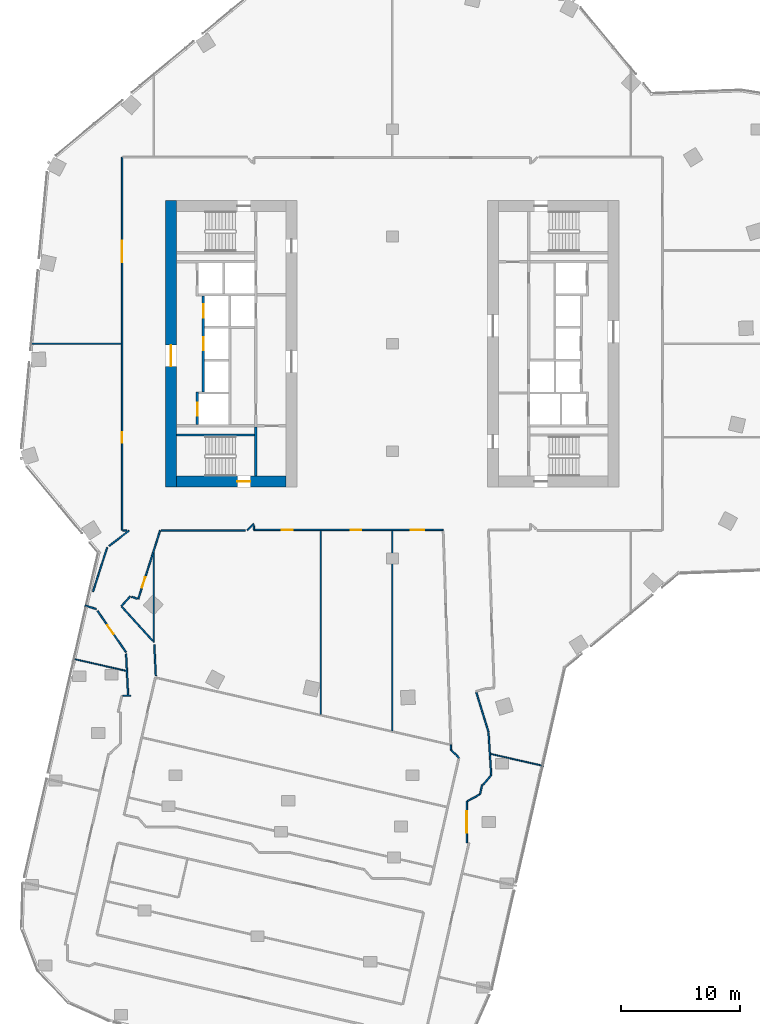
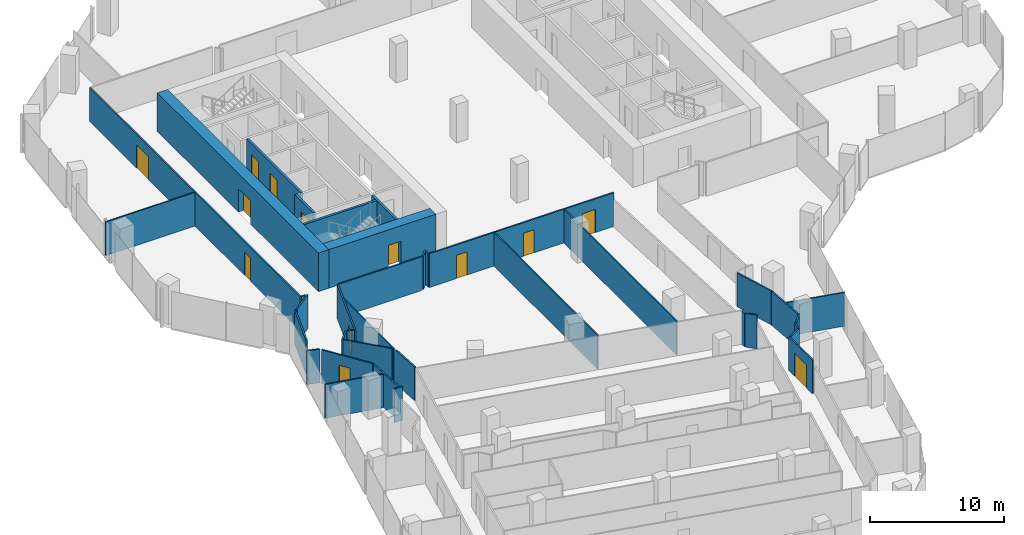
# One storey, part 19 of 23: 37 walls, 13 doors, 13 openings.
"""IFC4 building model written with IfcOpenShell, lengths in metres."""

from ifc_helpers import new_model, si_unit, direction, frame, frame_2d, origin, place, context, subcontext, project, spatial, rectangle, extrude, material, layer, layer_set, type_object, element, fill, save


model = new_model("IFC4")

# Units and contexts
model_context = context("Model", 3, precision=1e-05, world=origin(), true_north=direction((0.0, 1.0)))
body_context = subcontext(model_context, "Body", "Model", "MODEL_VIEW")
ifc_project = project(units=[si_unit("LENGTHUNIT", "METRE"), si_unit("AREAUNIT", "SQUARE_METRE"), si_unit("VOLUMEUNIT", "CUBIC_METRE"), si_unit("PLANEANGLEUNIT", "RADIAN"), si_unit("MASSUNIT", "GRAM", prefix="KILO")], contexts=[model_context])

# Site, building, storey
site_placement = place(None, origin())
site = spatial("IfcSite", under=ifc_project, at=site_placement, CompositionType="ELEMENT")
building_placement = place(site_placement, origin())
building = spatial("IfcBuilding", under=site, at=building_placement, Name="Orlundy Tower", CompositionType="ELEMENT")
storey_placement = place(building_placement, frame((0.0, 0.0, 181.10009765625)))
storey = spatial("IfcBuildingStorey", under=building, at=storey_placement, Name="L47", CompositionType="ELEMENT", Elevation=181.10009765625)

# Wall, opening, door
ifc_material_1 = material(Name="Concrete C70/85", Category="concrete")
ifc_layer_1 = layer(ifc_material_1, 0.89990234375)
ifc_layer_set_1 = layer_set([ifc_layer_1], Name="CORE WALL 900 C70/85")
wall_type_1 = type_object("IfcWallType", Name="CORE WALL 900 C70/85", PredefinedType="SHEAR", material=ifc_layer_set_1)
wall_1_placement = place(storey_placement, frame((-18.10009765625, -11.550048828125, 0.0), z_axis=(0.0, 0.0, 1.0), x_axis=(1.0, 0.0, 0.0)))
wall_1 = element("IfcWall", 1, at=wall_1_placement, inside=storey, type_object=wall_type_1, Name="Core wall W-S L47", PredefinedType="SHEAR", context=body_context, shape_type="SweptSolid", body=[
    extrude(rectangle(XDim=9.2001953125, YDim=0.89990234375, at=frame_2d((4.60009765625, 0.0))), origin(), (0.0, 0.0, 1.0), 3.5),
])
opening_1_placement = place(wall_1_placement, frame((5.10009765625, 0.0, 0.0)))
opening_1 = element("IfcOpeningElement", 2, at=opening_1_placement, cuts=wall_1, Name="Opening 36012", PredefinedType="OPENING", context=body_context, shape_type="SweptSolid", body=[
    extrude(rectangle(XDim=1.10009765625, YDim=2.10009765625, at=frame_2d((0.550048828125, 1.050048828125))), frame((0.0, 0.4599609375, 0.0), z_axis=(0.0, -1.0, 0.0), x_axis=(1.0, 0.0, 0.0)), (0.0, 0.0, 1.0), 0.919921875),
])
ifc_material_2 = material(Name="Steel door set", Category="steel")
door_type_1 = type_object("IfcDoorType", Name="Stair Door 1100x2100", OperationType="SINGLE_SWING_LEFT", PredefinedType="DOOR", material=ifc_material_2)
door_1_placement = place(opening_1_placement, origin())
door_1 = element("IfcDoor", 3, at=door_1_placement, inside=storey, type_object=door_type_1, Name="Stair door 36012", OperationType="SINGLE_SWING_RIGHT", OverallHeight=2.10009765625, OverallWidth=1.10009765625, PredefinedType="DOOR", context=body_context, shape_type="SweptSolid", body=[
    extrude(rectangle(XDim=1.10009765625, YDim=2.10009765625, at=frame_2d((0.550048828125, 1.050048828125))), frame((0.0, 0.02490234375, 0.0), z_axis=(0.0, -1.0, 0.0), x_axis=(1.0, 0.0, 0.0)), (0.0, 0.0, 1.0), 0.050048828125),
])
fill(opening_1, door_1)

wall_2_placement = place(storey_placement, frame((-18.550048828125, -12.0, 0.0), z_axis=(0.0, 0.0, 1.0), x_axis=(0.0, 1.0, 0.0)))
wall_2 = element("IfcWall", 4, at=wall_2_placement, inside=storey, type_object=wall_type_1, Name="Core wall W-W L47", PredefinedType="SHEAR", context=body_context, shape_type="SweptSolid", body=[
    extrude(rectangle(XDim=24.0, YDim=0.89990234375, at=frame_2d((12.0, 0.0))), origin(), (0.0, 0.0, 1.0), 3.5),
])
opening_2_placement = place(wall_2_placement, frame((10.10009765625, 0.0, 0.0)))
opening_2 = element("IfcOpeningElement", 5, at=opening_2_placement, cuts=wall_2, Name="Opening 36009", PredefinedType="OPENING", context=body_context, shape_type="SweptSolid", body=[
    extrude(rectangle(XDim=1.800048828125, YDim=2.10009765625, at=frame_2d((0.89990234375, 1.050048828125))), frame((0.0, 0.4599609375, 0.0), z_axis=(0.0, -1.0, 0.0), x_axis=(1.0, 0.0, 0.0)), (0.0, 0.0, 1.0), 0.919921875),
])
ifc_material_3 = material(Name="Timber door set", Category="wood")
door_type_2 = type_object("IfcDoorType", Name="Lobby Door 1800x2100", OperationType="DOUBLE_DOOR_DOUBLE_SWING", PredefinedType="DOOR", material=ifc_material_3)
door_2_placement = place(opening_2_placement, origin())
door_2 = element("IfcDoor", 6, at=door_2_placement, inside=storey, type_object=door_type_2, Name="Lift lobby door 36009", OperationType="SINGLE_SWING_LEFT", OverallHeight=2.10009765625, OverallWidth=1.800048828125, PredefinedType="DOOR", context=body_context, shape_type="SweptSolid", body=[
    extrude(rectangle(XDim=1.800048828125, YDim=2.10009765625, at=frame_2d((0.89990234375, 1.050048828125))), frame((0.0, 0.02490234375, 0.0), z_axis=(0.0, -1.0, 0.0), x_axis=(1.0, 0.0, 0.0)), (0.0, 0.0, 1.0), 0.050048828125),
])
fill(opening_2, door_2)

# Walls
ifc_material_4 = material(Name="Gypsum board partition")
ifc_layer_2 = layer(ifc_material_4, 0.10009765625)
ifc_layer_set_2 = layer_set([ifc_layer_2], Name="Floor partition 100")
wall_type_2 = type_object("IfcWallType", Name="Floor partition 100", PredefinedType="PARTITIONING", material=ifc_layer_set_2)
wall_3_placement = place(storey_placement, frame((-26.783935546875, -26.404052734375, 0.0), z_axis=(0.0, 0.0, 1.0), x_axis=(0.975064044209, -0.221923657346, 0.0)))
element("IfcWall", 7, at=wall_3_placement, inside=storey, type_object=wall_type_2, Name="wall-int-L47-032", PredefinedType="PARTITIONING", context=body_context, shape_type="SweptSolid", body=[
    extrude(rectangle(XDim=4.56884765625, YDim=0.10009765625, at=frame_2d((2.284423828125, 0.0))), origin(), (0.0, 0.0, 1.0), 3.059814453125),
])
wall_4_placement = place(storey_placement, frame((8.256103515625, -34.386962890625, 0.0), z_axis=(0.0, 0.0, 1.0), x_axis=(0.975047109618, -0.221998049597, 0.0)))
element("IfcWall", 8, at=wall_4_placement, inside=storey, type_object=wall_type_2, Name="wall-int-L47-034", PredefinedType="PARTITIONING", context=body_context, shape_type="SweptSolid", body=[
    extrude(rectangle(XDim=4.562744140625, YDim=0.10009765625, at=frame_2d((2.28125, 0.0))), origin(), (0.0, 0.0, 1.0), 3.059814453125),
])
wall_5_placement = place(storey_placement, frame((-30.382080078125, 0.0, 0.0), z_axis=(0.0, 0.0, 1.0), x_axis=(1.0, 0.0, 0.0)))
element("IfcWall", 9, at=wall_5_placement, inside=storey, type_object=wall_type_2, Name="wall-int-L47-048", PredefinedType="PARTITIONING", context=body_context, shape_type="SweptSolid", body=[
    extrude(rectangle(XDim=7.670166015625, YDim=0.10009765625, at=frame_2d((3.8349609375, 0.0))), origin(), (0.0, 0.0, 1.0), 3.059814453125),
])
wall_6_placement = place(storey_placement, frame((0.0, -32.44189453125, 0.0), z_axis=(0.0, 0.0, 1.0), x_axis=(0.0, 1.0, 0.0)))
element("IfcWall", 10, at=wall_6_placement, inside=storey, type_object=wall_type_2, Name="wall-int-L47-088", PredefinedType="PARTITIONING", context=body_context, shape_type="SweptSolid", body=[
    extrude(rectangle(XDim=16.77978515625, YDim=0.10009765625, at=frame_2d((8.389892578125, 0.0))), origin(), (0.0, 0.0, 1.0), 3.059814453125),
])
wall_7_placement = place(storey_placement, frame((-6.0, -31.075927734375, 0.0), z_axis=(0.0, 0.0, 1.0), x_axis=(0.0, 1.0, 0.0)))
element("IfcWall", 11, at=wall_7_placement, inside=storey, type_object=wall_type_2, Name="wall-int-L47-091", PredefinedType="PARTITIONING", context=body_context, shape_type="SweptSolid", body=[
    extrude(rectangle(XDim=15.413818359375, YDim=0.10009765625, at=frame_2d((7.70703125, 0.0))), origin(), (0.0, 0.0, 1.0), 3.059814453125),
])
wall_8_placement = place(storey_placement, frame((-20.0, -25.006103515625, 0.0), z_axis=(0.0, 0.0, 1.0), x_axis=(0.0, 1.0, 0.0)))
element("IfcWall", 12, at=wall_8_placement, inside=storey, type_object=wall_type_2, Name="wall-int-L47-093", PredefinedType="PARTITIONING", context=body_context, shape_type="SweptSolid", body=[
    extrude(rectangle(XDim=7.6162109375, YDim=0.10009765625, at=frame_2d((3.80810546875, 0.0))), origin(), (0.0, 0.0, 1.0), 3.059814453125),
])
ifc_material_5 = material(Name="Gypsum board partition, double layer")
ifc_layer_3 = layer(ifc_material_5, 0.125)
ifc_layer_set_3 = layer_set([ifc_layer_3], Name="Floor partition 125")
wall_type_3 = type_object("IfcWallType", Name="Floor partition 125", PredefinedType="PARTITIONING", material=ifc_layer_set_3)
wall_9_placement = place(storey_placement, frame((-11.60107421875, -15.241943359375, 0.0), z_axis=(0.0, 0.0, 1.0), x_axis=(0.002726642898, -0.999996282702, 0.0)))
element("IfcWall", 13, at=wall_9_placement, inside=storey, type_object=wall_type_3, Name="wall-int-L47-001", PredefinedType="PARTITIONING", context=body_context, shape_type="SweptSolid", body=[
    extrude(rectangle(XDim=0.358154296875, YDim=0.125, at=frame_2d((0.17919921875, 0.0))), origin(), (0.0, 0.0, 1.0), 3.059814453125),
])
wall_10_placement = place(storey_placement, frame((4.906982421875, -33.623046875, 0.0), z_axis=(0.0, 0.0, 1.0), x_axis=(0.034692866757, -0.999398021309, 0.0)))
element("IfcWall", 14, at=wall_10_placement, inside=storey, type_object=wall_type_3, Name="wall-int-L47-002", PredefinedType="PARTITIONING", context=body_context, shape_type="SweptSolid", body=[
    extrude(rectangle(XDim=0.401123046875, YDim=0.125, at=frame_2d((0.20068359375, 0.0))), origin(), (0.0, 0.0, 1.0), 3.059814453125),
])
wall_11_placement = place(storey_placement, frame((-22.322021484375, -26.007080078125, 0.0), z_axis=(0.0, 0.0, 1.0), x_axis=(0.048573949442, -0.998819589033, 0.0)))
element("IfcWall", 15, at=wall_11_placement, inside=storey, type_object=wall_type_3, Name="wall-int-L47-005", PredefinedType="PARTITIONING", context=body_context, shape_type="SweptSolid", body=[
    extrude(rectangle(XDim=3.43798828125, YDim=0.125, at=frame_2d((1.718994140625, 0.0))), origin(), (0.0, 0.0, 1.0), 3.059814453125),
])
wall_12_placement = place(storey_placement, frame((-19.9560546875, -25.23095703125, 0.0), z_axis=(0.0, 0.0, 1.0), x_axis=(0.048617095064, -0.998817489869, 0.0)))
element("IfcWall", 16, at=wall_12_placement, inside=storey, type_object=wall_type_3, Name="wall-int-L47-006", PredefinedType="PARTITIONING", context=body_context, shape_type="SweptSolid", body=[
    extrude(rectangle(XDim=2.59130859375, YDim=0.125, at=frame_2d((1.295654296875, 0.0))), origin(), (0.0, 0.0, 1.0), 3.059814453125),
])
wall_13_placement = place(storey_placement, frame((8.069091796875, -32.60888671875, 0.0), z_axis=(0.0, 0.0, 1.0), x_axis=(0.061565744527, -0.998103030303, 0.0)))
element("IfcWall", 17, at=wall_13_placement, inside=storey, type_object=wall_type_3, Name="wall-int-L47-007", PredefinedType="PARTITIONING", context=body_context, shape_type="SweptSolid", body=[
    extrude(rectangle(XDim=3.572998046875, YDim=0.125, at=frame_2d((1.78662109375, 0.0))), origin(), (0.0, 0.0, 1.0), 3.059814453125),
])
wall_14_placement = place(storey_placement, frame((7.033935546875, -29.2109375, 0.0), z_axis=(0.0, 0.0, 1.0), x_axis=(0.295358504145, -0.955386494582, 0.0)))
element("IfcWall", 18, at=wall_14_placement, inside=storey, type_object=wall_type_3, Name="wall-int-L47-008", PredefinedType="PARTITIONING", context=body_context, shape_type="SweptSolid", body=[
    extrude(rectangle(XDim=3.49072265625, YDim=0.125, at=frame_2d((1.745361328125, 0.0))), origin(), (0.0, 0.0, 1.0), 3.059814453125),
])

# Wall, opening, door
wall_15_placement = place(storey_placement, frame((-22.3291015625, -25.85693359375, 0.0), z_axis=(0.0, 0.0, 1.0), x_axis=(-0.567945710046, 0.823066018276, 0.0)))
wall_15 = element("IfcWall", 19, at=wall_15_placement, inside=storey, type_object=wall_type_3, Name="wall-int-L47-009", PredefinedType="PARTITIONING", context=body_context, shape_type="SweptSolid", body=[
    extrude(rectangle(XDim=4.209716796875, YDim=0.125, at=frame_2d((2.10498046875, 0.0))), origin(), (0.0, 0.0, 1.0), 3.059814453125),
])
opening_3_placement = place(wall_15_placement, frame((1.85009765625, 0.0, 0.0)))
opening_3 = element("IfcOpeningElement", 20, at=opening_3_placement, cuts=wall_15, Name="Opening 36111", PredefinedType="OPENING", context=body_context, shape_type="SweptSolid", body=[
    extrude(rectangle(XDim=0.89990234375, YDim=2.10009765625, at=frame_2d((0.449951171875, 1.050048828125))), frame((0.0, 0.072509765625, 0.0), z_axis=(0.0, -1.0, 0.0), x_axis=(1.0, 0.0, 0.0)), (0.0, 0.0, 1.0), 0.14501953125),
])
ifc_material_6 = material(Name="Timber door leaf", Category="wood")
door_type_3 = type_object("IfcDoorType", Name="Floor door single 900 FD30S", OperationType="NOTDEFINED", PredefinedType="DOOR", material=ifc_material_6)
door_3_placement = place(opening_3_placement, origin())
door_3 = element("IfcDoor", 21, at=door_3_placement, inside=storey, type_object=door_type_3, Name="Door 36111", OperationType="SINGLE_SWING_RIGHT", OverallHeight=2.10009765625, OverallWidth=0.89990234375, PredefinedType="DOOR", context=body_context, shape_type="SweptSolid", body=[
    extrude(rectangle(XDim=0.89990234375, YDim=2.10009765625, at=frame_2d((0.449951171875, 1.050048828125))), frame((0.0, 0.02490234375, 0.0), z_axis=(0.0, -1.0, 0.0), x_axis=(1.0, 0.0, 0.0)), (0.0, 0.0, 1.0), 0.050048828125),
])
fill(opening_3, door_3)

# Walls
wall_16_placement = place(storey_placement, frame((-20.095947265625, -24.89990234375, 0.0), z_axis=(0.0, 0.0, 1.0), x_axis=(-0.672615898584, 0.739991792503, 0.0)))
element("IfcWall", 22, at=wall_16_placement, inside=storey, type_object=wall_type_3, Name="wall-int-L47-010", PredefinedType="PARTITIONING", context=body_context, shape_type="SweptSolid", body=[
    extrude(rectangle(XDim=3.844482421875, YDim=0.125, at=frame_2d((1.92236328125, 0.0))), origin(), (0.0, 0.0, 1.0), 3.059814453125),
])
wall_17_placement = place(storey_placement, frame((-25.76708984375, -21.93994140625, 0.0), z_axis=(0.0, 0.0, 1.0), x_axis=(0.952650092138, -0.304068745433, 0.0)))
element("IfcWall", 23, at=wall_17_placement, inside=storey, type_object=wall_type_3, Name="wall-int-L47-013", PredefinedType="PARTITIONING", context=body_context, shape_type="SweptSolid", body=[
    extrude(rectangle(XDim=0.989990234375, YDim=0.125, at=frame_2d((0.4951171875, 0.0))), origin(), (0.0, 0.0, 1.0), 3.059814453125),
])
wall_18_placement = place(storey_placement, frame((-21.8720703125, -21.2109375, 0.0), z_axis=(0.0, 0.0, 1.0), x_axis=(0.952508294333, -0.304512642146, 0.0)))
element("IfcWall", 24, at=wall_18_placement, inside=storey, type_object=wall_type_3, Name="wall-int-L47-014", PredefinedType="PARTITIONING", context=body_context, shape_type="SweptSolid", body=[
    extrude(rectangle(XDim=0.538818359375, YDim=0.125, at=frame_2d((0.26953125, 0.0))), origin(), (0.0, 0.0, 1.0), 3.059814453125),
])
wall_19_placement = place(storey_placement, frame((6.302978515625, -38.342041015625, 0.0), z_axis=(0.0, 0.0, 1.0), x_axis=(0.877434318746, 0.479696796202, 0.0)))
element("IfcWall", 25, at=wall_19_placement, inside=storey, type_object=wall_type_3, Name="wall-int-L47-039", PredefinedType="PARTITIONING", context=body_context, shape_type="SweptSolid", body=[
    extrude(rectangle(XDim=1.194580078125, YDim=0.125, at=frame_2d((0.59716796875, 0.0))), origin(), (0.0, 0.0, 1.0), 3.059814453125),
])
wall_20_placement = place(storey_placement, frame((-22.59912109375, -29.507080078125, 0.0), z_axis=(0.0, 0.0, 1.0), x_axis=(1.0, 0.0, 0.0)))
element("IfcWall", 26, at=wall_20_placement, inside=storey, type_object=wall_type_3, Name="wall-int-L47-041", PredefinedType="PARTITIONING", context=body_context, shape_type="SweptSolid", body=[
    extrude(rectangle(XDim=0.676025390625, YDim=0.125, at=frame_2d((0.337890625, 0.0))), origin(), (0.0, 0.0, 1.0), 3.059814453125),
])
wall_21_placement = place(storey_placement, frame((-22.5869140625, -15.65087890625, 0.0), z_axis=(0.0, 0.0, 1.0), x_axis=(1.0, 0.0, 0.0)))
element("IfcWall", 27, at=wall_21_placement, inside=storey, type_object=wall_type_3, Name="wall-int-L47-042", PredefinedType="PARTITIONING", context=body_context, shape_type="SweptSolid", body=[
    extrude(rectangle(XDim=0.333984375, YDim=0.125, at=frame_2d((0.1669921875, 0.0))), origin(), (0.0, 0.0, 1.0), 3.059814453125),
])
wall_22_placement = place(storey_placement, frame((-19.3779296875, -15.65087890625, 0.0), z_axis=(0.0, 0.0, 1.0), x_axis=(1.0, 0.0, 0.0)))
element("IfcWall", 28, at=wall_22_placement, inside=storey, type_object=wall_type_3, Name="wall-int-L47-043", PredefinedType="PARTITIONING", context=body_context, shape_type="SweptSolid", body=[
    extrude(rectangle(XDim=7.06689453125, YDim=0.125, at=frame_2d((3.533447265625, 0.0))), origin(), (0.0, 0.0, 1.0), 3.059814453125),
])

# Wall, openings, doors
wall_23_placement = place(storey_placement, frame((4.259033203125, -15.60009765625, 0.0), z_axis=(0.0, 0.0, 1.0), x_axis=(-1.0, 0.0, 0.0)))
wall_23 = element("IfcWall", 29, at=wall_23_placement, inside=storey, type_object=wall_type_3, Name="wall-int-L47-045", PredefinedType="PARTITIONING", context=body_context, shape_type="SweptSolid", body=[
    extrude(rectangle(XDim=15.859130859375, YDim=0.125, at=frame_2d((7.9296875, 0.0))), origin(), (0.0, 0.0, 1.0), 3.059814453125),
])
opening_4_placement = place(wall_23_placement, frame((12.60888671875, 0.0, 0.0)))
opening_4 = element("IfcOpeningElement", 30, at=opening_4_placement, cuts=wall_23, Name="Opening 36113", PredefinedType="OPENING", context=body_context, shape_type="SweptSolid", body=[
    extrude(rectangle(XDim=0.89990234375, YDim=2.10009765625, at=frame_2d((0.449951171875, 1.050048828125))), frame((0.0, 0.072509765625, 0.0), z_axis=(0.0, -1.0, 0.0), x_axis=(1.0, 0.0, 0.0)), (0.0, 0.0, 1.0), 0.14501953125),
])
opening_5_placement = place(wall_23_placement, frame((6.85888671875, 0.0, 0.0)))
opening_5 = element("IfcOpeningElement", 31, at=opening_5_placement, cuts=wall_23, Name="Opening 36114", PredefinedType="OPENING", context=body_context, shape_type="SweptSolid", body=[
    extrude(rectangle(XDim=0.89990234375, YDim=2.10009765625, at=frame_2d((0.449951171875, 1.050048828125))), frame((0.0, 0.072509765625, 0.0), z_axis=(0.0, -1.0, 0.0), x_axis=(1.0, 0.0, 0.0)), (0.0, 0.0, 1.0), 0.14501953125),
])
opening_6_placement = place(wall_23_placement, frame((1.60009765625, 0.0, 0.0)))
opening_6 = element("IfcOpeningElement", 32, at=opening_6_placement, cuts=wall_23, Name="Opening 36115", PredefinedType="OPENING", context=body_context, shape_type="SweptSolid", body=[
    extrude(rectangle(XDim=1.10009765625, YDim=2.10009765625, at=frame_2d((0.550048828125, 1.050048828125))), frame((0.0, 0.072509765625, 0.0), z_axis=(0.0, -1.0, 0.0), x_axis=(1.0, 0.0, 0.0)), (0.0, 0.0, 1.0), 0.14501953125),
])
door_4_placement = place(opening_4_placement, origin())
door_4 = element("IfcDoor", 33, at=door_4_placement, inside=storey, type_object=door_type_3, Name="Door 36113", OperationType="SINGLE_SWING_RIGHT", OverallHeight=2.10009765625, OverallWidth=0.89990234375, PredefinedType="DOOR", context=body_context, shape_type="SweptSolid", body=[
    extrude(rectangle(XDim=0.89990234375, YDim=2.10009765625, at=frame_2d((0.449951171875, 1.050048828125))), frame((0.0, 0.02490234375, 0.0), z_axis=(0.0, -1.0, 0.0), x_axis=(1.0, 0.0, 0.0)), (0.0, 0.0, 1.0), 0.050048828125),
])
fill(opening_4, door_4)
door_5_placement = place(opening_5_placement, origin())
door_5 = element("IfcDoor", 34, at=door_5_placement, inside=storey, type_object=door_type_3, Name="Door 36114", OperationType="SINGLE_SWING_LEFT", OverallHeight=2.10009765625, OverallWidth=0.89990234375, PredefinedType="DOOR", context=body_context, shape_type="SweptSolid", body=[
    extrude(rectangle(XDim=0.89990234375, YDim=2.10009765625, at=frame_2d((0.449951171875, 1.050048828125))), frame((0.0, 0.02490234375, 0.0), z_axis=(0.0, -1.0, 0.0), x_axis=(1.0, 0.0, 0.0)), (0.0, 0.0, 1.0), 0.050048828125),
])
fill(opening_5, door_5)
ifc_material_7 = material(Name="Timber door leaf", Category="wood")
door_type_4 = type_object("IfcDoorType", Name="Floor door xwide 1100 FD30S", OperationType="NOTDEFINED", PredefinedType="DOOR", material=ifc_material_7)
door_6_placement = place(opening_6_placement, origin())
door_6 = element("IfcDoor", 35, at=door_6_placement, inside=storey, type_object=door_type_4, Name="Door 36115", OperationType="SINGLE_SWING_LEFT", OverallHeight=2.10009765625, OverallWidth=1.10009765625, PredefinedType="DOOR", context=body_context, shape_type="SweptSolid", body=[
    extrude(rectangle(XDim=1.10009765625, YDim=2.10009765625, at=frame_2d((0.550048828125, 1.050048828125))), frame((0.0, 0.02490234375, 0.0), z_axis=(0.0, -1.0, 0.0), x_axis=(1.0, 0.0, 0.0)), (0.0, 0.0, 1.0), 0.050048828125),
])
fill(opening_6, door_6)

# Walls
wall_24_placement = place(storey_placement, frame((7.613037109375, -36.966064453125, 0.0), z_axis=(0.0, 0.0, 1.0), x_axis=(0.649689309886, 0.760199842554, 0.0)))
element("IfcWall", 36, at=wall_24_placement, inside=storey, type_object=wall_type_3, Name="wall-int-L47-054", PredefinedType="PARTITIONING", context=body_context, shape_type="SweptSolid", body=[
    extrude(rectangle(XDim=1.04052734375, YDim=0.125, at=frame_2d((0.520263671875, 0.0))), origin(), (0.0, 0.0, 1.0), 3.059814453125),
])
wall_25_placement = place(storey_placement, frame((4.922119140625, -34.02392578125, 0.0), z_axis=(0.0, 0.0, 1.0), x_axis=(0.689011074604, -0.724750811709, 0.0)))
element("IfcWall", 37, at=wall_25_placement, inside=storey, type_object=wall_type_3, Name="wall-int-L47-056", PredefinedType="PARTITIONING", context=body_context, shape_type="SweptSolid", body=[
    extrude(rectangle(XDim=0.956298828125, YDim=0.125, at=frame_2d((0.47802734375, 0.0))), origin(), (0.0, 0.0, 1.0), 3.059814453125),
])
wall_26_placement = place(storey_placement, frame((-23.74609375, -16.93994140625, 0.0), z_axis=(0.0, 0.0, 1.0), x_axis=(0.796002971308, 0.605292714039, 0.0)))
element("IfcWall", 38, at=wall_26_placement, inside=storey, type_object=wall_type_3, Name="wall-int-L47-058", PredefinedType="PARTITIONING", context=body_context, shape_type="SweptSolid", body=[
    extrude(rectangle(XDim=2.09814453125, YDim=0.125, at=frame_2d((1.049072265625, 0.0))), origin(), (0.0, 0.0, 1.0), 3.059814453125),
])
wall_27_placement = place(storey_placement, frame((-12.153076171875, -15.631103515625, 0.0), z_axis=(0.0, 0.0, 1.0), x_axis=(0.707106781187, 0.707106781187, 0.0)))
element("IfcWall", 39, at=wall_27_placement, inside=storey, type_object=wall_type_3, Name="wall-int-L47-059", PredefinedType="PARTITIONING", context=body_context, shape_type="SweptSolid", body=[
    extrude(rectangle(XDim=0.7509765625, YDim=0.125, at=frame_2d((0.37548828125, 0.0))), origin(), (0.0, 0.0, 1.0), 3.059814453125),
])
wall_28_placement = place(storey_placement, frame((-22.72412109375, -22.009033203125, 0.0), z_axis=(0.0, 0.0, 1.0), x_axis=(0.675685261753, 0.737190224467, 0.0)))
element("IfcWall", 40, at=wall_28_placement, inside=storey, type_object=wall_type_3, Name="wall-int-L47-061", PredefinedType="PARTITIONING", context=body_context, shape_type="SweptSolid", body=[
    extrude(rectangle(XDim=1.123291015625, YDim=0.125, at=frame_2d((0.5615234375, 0.0))), origin(), (0.0, 0.0, 1.0), 3.059814453125),
])

# Wall, opening, door
wall_29_placement = place(storey_placement, frame((-19.467041015625, -15.656005859375, 0.0), z_axis=(0.0, 0.0, 1.0), x_axis=(-0.304004951976, -0.952670451507, 0.0)))
wall_29 = element("IfcWall", 41, at=wall_29_placement, inside=storey, type_object=wall_type_3, Name="wall-int-L47-062", PredefinedType="PARTITIONING", context=body_context, shape_type="SweptSolid", body=[
    extrude(rectangle(XDim=6.023193359375, YDim=0.125, at=frame_2d((3.01171875, 0.0))), origin(), (0.0, 0.0, 1.0), 3.059814453125),
])
opening_7_placement = place(wall_29_placement, frame((4.113037109375, 0.0, 0.0)))
opening_7 = element("IfcOpeningElement", 42, at=opening_7_placement, cuts=wall_29, Name="Opening 36112", PredefinedType="OPENING", context=body_context, shape_type="SweptSolid", body=[
    extrude(rectangle(XDim=0.89990234375, YDim=2.10009765625, at=frame_2d((0.449951171875, 1.050048828125))), frame((0.0, 0.072509765625, 0.0), z_axis=(0.0, -1.0, 0.0), x_axis=(1.0, 0.0, 0.0)), (0.0, 0.0, 1.0), 0.14501953125),
])
door_7_placement = place(opening_7_placement, origin())
door_7 = element("IfcDoor", 43, at=door_7_placement, inside=storey, type_object=door_type_3, Name="Door 36112", OperationType="SINGLE_SWING_RIGHT", OverallHeight=2.10009765625, OverallWidth=0.89990234375, PredefinedType="DOOR", context=body_context, shape_type="SweptSolid", body=[
    extrude(rectangle(XDim=0.89990234375, YDim=2.10009765625, at=frame_2d((0.449951171875, 1.050048828125))), frame((0.0, 0.02490234375, 0.0), z_axis=(0.0, -1.0, 0.0), x_axis=(1.0, 0.0, 0.0)), (0.0, 0.0, 1.0), 0.050048828125),
])
fill(opening_7, door_7)

# Walls
wall_30_placement = place(storey_placement, frame((-23.904052734375, -17.06005859375, 0.0), z_axis=(0.0, 0.0, 1.0), x_axis=(-0.304208106658, -0.952605599314, 0.0)))
element("IfcWall", 44, at=wall_30_placement, inside=storey, type_object=wall_type_3, Name="wall-int-L47-063", PredefinedType="PARTITIONING", context=body_context, shape_type="SweptSolid", body=[
    extrude(rectangle(XDim=3.90185546875, YDim=0.125, at=frame_2d((1.950927734375, 0.0))), origin(), (0.0, 0.0, 1.0), 3.059814453125),
])
wall_31_placement = place(storey_placement, frame((7.35107421875, -37.76904296875, 0.0), z_axis=(0.0, 0.0, 1.0), x_axis=(0.222043922605, 0.975036664149, 0.0)))
element("IfcWall", 45, at=wall_31_placement, inside=storey, type_object=wall_type_3, Name="wall-int-L47-069", PredefinedType="PARTITIONING", context=body_context, shape_type="SweptSolid", body=[
    extrude(rectangle(XDim=0.823486328125, YDim=0.125, at=frame_2d((0.41162109375, 0.0))), origin(), (0.0, 0.0, 1.0), 3.059814453125),
])

# Wall, opening, door
wall_32_placement = place(storey_placement, frame((6.240966796875, -38.342041015625, 0.0), z_axis=(0.0, 0.0, 1.0), x_axis=(0.0, -1.0, 0.0)))
wall_32 = element("IfcWall", 46, at=wall_32_placement, inside=storey, type_object=wall_type_3, Name="wall-int-L47-086", PredefinedType="PARTITIONING", context=body_context, shape_type="SweptSolid", body=[
    extrude(rectangle(XDim=3.4990234375, YDim=0.125, at=frame_2d((1.74951171875, 0.0))), origin(), (0.0, 0.0, 1.0), 3.059814453125),
])
opening_8_placement = place(wall_32_placement, frame((0.85009765625, 0.0, 0.0)))
opening_8 = element("IfcOpeningElement", 47, at=opening_8_placement, cuts=wall_32, Name="Opening 36100", PredefinedType="OPENING", context=body_context, shape_type="SweptSolid", body=[
    extrude(rectangle(XDim=1.800048828125, YDim=2.10009765625, at=frame_2d((0.89990234375, 1.050048828125))), frame((0.0, 0.072509765625, 0.0), z_axis=(0.0, -1.0, 0.0), x_axis=(1.0, 0.0, 0.0)), (0.0, 0.0, 1.0), 0.14501953125),
])
ifc_material_8 = material(Name="Timber door leaf", Category="wood")
door_type_5 = type_object("IfcDoorType", Name="Floor door double 1800 FD30S", OperationType="NOTDEFINED", PredefinedType="DOOR", material=ifc_material_8)
door_8_placement = place(opening_8_placement, origin())
door_8 = element("IfcDoor", 48, at=door_8_placement, inside=storey, type_object=door_type_5, Name="Door 36100", OperationType="DOUBLE_DOOR_SINGLE_SWING", OverallHeight=2.10009765625, OverallWidth=1.800048828125, PredefinedType="DOOR", context=body_context, shape_type="SweptSolid", body=[
    extrude(rectangle(XDim=1.800048828125, YDim=2.10009765625, at=frame_2d((0.89990234375, 1.050048828125))), frame((0.0, 0.02490234375, 0.0), z_axis=(0.0, -1.0, 0.0), x_axis=(1.0, 0.0, 0.0)), (0.0, 0.0, 1.0), 0.050048828125),
])
fill(opening_8, door_8)

# Wall, openings, doors
wall_33_placement = place(storey_placement, frame((-22.64990234375, -15.65087890625, 0.0), z_axis=(0.0, 0.0, 1.0), x_axis=(0.0, 1.0, 0.0)))
wall_33 = element("IfcWall", 49, at=wall_33_placement, inside=storey, type_object=wall_type_3, Name="wall-int-L47-096", PredefinedType="PARTITIONING", context=body_context, shape_type="SweptSolid", body=[
    extrude(rectangle(XDim=31.3017578125, YDim=0.125, at=frame_2d((15.65087890625, 0.0))), origin(), (0.0, 0.0, 1.0), 3.059814453125),
])
opening_9_placement = place(wall_33_placement, frame((7.35009765625, 0.0, 0.0)))
opening_9 = element("IfcOpeningElement", 50, at=opening_9_placement, cuts=wall_33, Name="Opening 36110", PredefinedType="OPENING", context=body_context, shape_type="SweptSolid", body=[
    extrude(rectangle(XDim=0.89990234375, YDim=2.10009765625, at=frame_2d((0.449951171875, 1.050048828125))), frame((0.0, 0.072509765625, 0.0), z_axis=(0.0, -1.0, 0.0), x_axis=(1.0, 0.0, 0.0)), (0.0, 0.0, 1.0), 0.14501953125),
])
opening_10_placement = place(wall_33_placement, frame((22.5009765625, 0.0, 0.0)))
opening_10 = element("IfcOpeningElement", 51, at=opening_10_placement, cuts=wall_33, Name="Opening 36125", PredefinedType="OPENING", context=body_context, shape_type="SweptSolid", body=[
    extrude(rectangle(XDim=1.800048828125, YDim=2.10009765625, at=frame_2d((0.89990234375, 1.050048828125))), frame((0.0, 0.072509765625, 0.0), z_axis=(0.0, -1.0, 0.0), x_axis=(1.0, 0.0, 0.0)), (0.0, 0.0, 1.0), 0.14501953125),
])
door_9_placement = place(opening_10_placement, origin())
door_9 = element("IfcDoor", 52, at=door_9_placement, inside=storey, type_object=door_type_5, Name="Door 36125", OperationType="DOUBLE_DOOR_SINGLE_SWING", OverallHeight=2.10009765625, OverallWidth=1.800048828125, PredefinedType="DOOR", context=body_context, shape_type="SweptSolid", body=[
    extrude(rectangle(XDim=1.800048828125, YDim=2.10009765625, at=frame_2d((0.89990234375, 1.050048828125))), frame((0.0, 0.02490234375, 0.0), z_axis=(0.0, -1.0, 0.0), x_axis=(1.0, 0.0, 0.0)), (0.0, 0.0, 1.0), 0.050048828125),
])
fill(opening_10, door_9)
door_10_placement = place(opening_9_placement, origin())
door_10 = element("IfcDoor", 53, at=door_10_placement, inside=storey, type_object=door_type_3, Name="Door 36110", OperationType="SINGLE_SWING_LEFT", OverallHeight=2.10009765625, OverallWidth=0.89990234375, PredefinedType="DOOR", context=body_context, shape_type="SweptSolid", body=[
    extrude(rectangle(XDim=0.89990234375, YDim=2.10009765625, at=frame_2d((0.449951171875, 1.050048828125))), frame((0.0, 0.02490234375, 0.0), z_axis=(0.0, -1.0, 0.0), x_axis=(1.0, 0.0, 0.0)), (0.0, 0.0, 1.0), 0.050048828125),
])
fill(opening_9, door_10)

# Walls
ifc_material_9 = material(Name="Concrete C40/50", Category="concrete")
ifc_layer_4 = layer(ifc_material_9, 0.199951171875)
ifc_layer_set_4 = layer_set([ifc_layer_4], Name="Load-bearing Shaft Wall 200")
wall_type_4 = type_object("IfcWallType", Name="Load-bearing Shaft Wall 200", PredefinedType="SOLIDWALL", material=ifc_layer_set_4)
wall_34_placement = place(storey_placement, frame((-11.43994140625, -11.10009765625, 0.0), z_axis=(0.0, 0.0, 1.0), x_axis=(0.0, 1.0, 0.0)))
element("IfcWall", 54, at=wall_34_placement, inside=storey, type_object=wall_type_4, Name="Shaft wall W36-stair-end-s", PredefinedType="SOLIDWALL", context=body_context, shape_type="SweptSolid", body=[
    extrude(rectangle(XDim=4.125, YDim=0.199951171875, at=frame_2d((2.0625, 0.0))), origin(), (0.0, 0.0, 1.0), 3.079833984375),
])
wall_35_placement = place(storey_placement, frame((-11.5400390625, -7.64990234375, 0.0), z_axis=(0.0, 0.0, 1.0), x_axis=(-1.0, 0.0, 0.0)))
element("IfcWall", 55, at=wall_35_placement, inside=storey, type_object=wall_type_4, Name="Shaft wall W36-stair-side-s", PredefinedType="SOLIDWALL", context=body_context, shape_type="SweptSolid", body=[
    extrude(rectangle(XDim=6.56005859375, YDim=0.199951171875, at=frame_2d((3.280029296875, 0.0))), origin(), (0.0, 0.0, 1.0), 3.079833984375),
])

# Wall, opening, door
ifc_material_10 = material(Name="Fire-rated blockwork shaft wall", Category="masonry")
ifc_layer_5 = layer(ifc_material_10, 0.199951171875)
ifc_layer_set_5 = layer_set([ifc_layer_5], Name="Shaft Wall 200")
wall_type_5 = type_object("IfcWallType", Name="Shaft Wall 200", PredefinedType="SOLIDWALL", material=ifc_layer_set_5)
wall_36_placement = place(storey_placement, frame((-16.340087890625, -6.77490234375, 0.0), z_axis=(0.0, 0.0, 1.0), x_axis=(0.0, 1.0, 0.0)))
wall_36 = element("IfcWall", 56, at=wall_36_placement, inside=storey, type_object=wall_type_5, Name="Shaft wall W36-front-o-a", PredefinedType="SOLIDWALL", context=body_context, shape_type="SweptSolid", body=[
    extrude(rectangle(XDim=2.75, YDim=0.199951171875, at=frame_2d((1.375, 0.0))), origin(), (0.0, 0.0, 1.0), 3.079833984375),
])
opening_11_placement = place(wall_36_placement, frame((0.72509765625, 0.0, 0.0)))
opening_11 = element("IfcOpeningElement", 57, at=opening_11_placement, cuts=wall_36, Name="Opening 36001", PredefinedType="OPENING", context=body_context, shape_type="SweptSolid", body=[
    extrude(rectangle(XDim=1.10009765625, YDim=2.10009765625, at=frame_2d((0.550048828125, 1.050048828125))), frame((0.0, 0.110107421875, 0.0), z_axis=(0.0, -1.0, 0.0), x_axis=(1.0, 0.0, 0.0)), (0.0, 0.0, 1.0), 0.22021484375),
])
ifc_material_11 = material(Name="Steel door set", Category="steel")
door_type_6 = type_object("IfcDoorType", Name="Landing Door 1100x2100", OperationType="DOUBLE_DOOR_SLIDING", PredefinedType="DOOR", material=ifc_material_11)
door_11_placement = place(opening_11_placement, origin())
door_11 = element("IfcDoor", 58, at=door_11_placement, inside=storey, type_object=door_type_6, Name="Lift landing door LV-01 36001", OperationType="DOUBLE_DOOR_SLIDING", OverallHeight=2.10009765625, OverallWidth=1.10009765625, PredefinedType="DOOR", context=body_context, shape_type="SweptSolid", body=[
    extrude(rectangle(XDim=1.10009765625, YDim=2.10009765625, at=frame_2d((0.550048828125, 1.050048828125))), frame((0.0, 0.02490234375, 0.0), z_axis=(0.0, -1.0, 0.0), x_axis=(1.0, 0.0, 0.0)), (0.0, 0.0, 1.0), 0.050048828125),
])
fill(opening_11, door_11)

# Wall, openings, doors
wall_37_placement = place(storey_placement, frame((-15.840087890625, -4.02490234375, 0.0), z_axis=(0.0, 0.0, 1.0), x_axis=(0.0, 1.0, 0.0)))
wall_37 = element("IfcWall", 59, at=wall_37_placement, inside=storey, type_object=wall_type_5, Name="Shaft wall W36-front-o-b", PredefinedType="SOLIDWALL", context=body_context, shape_type="SweptSolid", body=[
    extrude(rectangle(XDim=8.0498046875, YDim=0.199951171875, at=frame_2d((4.02490234375, 0.0))), origin(), (0.0, 0.0, 1.0), 3.079833984375),
])
opening_12_placement = place(wall_37_placement, frame((3.47509765625, 0.0, 0.0)))
opening_12 = element("IfcOpeningElement", 60, at=opening_12_placement, cuts=wall_37, Name="Opening 36002", PredefinedType="OPENING", context=body_context, shape_type="SweptSolid", body=[
    extrude(rectangle(XDim=1.10009765625, YDim=2.10009765625, at=frame_2d((0.550048828125, 1.050048828125))), frame((0.0, 0.110107421875, 0.0), z_axis=(0.0, -1.0, 0.0), x_axis=(1.0, 0.0, 0.0)), (0.0, 0.0, 1.0), 0.22021484375),
])
opening_13_placement = place(wall_37_placement, frame((6.22509765625, 0.0, 0.0)))
opening_13 = element("IfcOpeningElement", 61, at=opening_13_placement, cuts=wall_37, Name="Opening 36004", PredefinedType="OPENING", context=body_context, shape_type="SweptSolid", body=[
    extrude(rectangle(XDim=1.10009765625, YDim=2.10009765625, at=frame_2d((0.550048828125, 1.050048828125))), frame((0.0, 0.110107421875, 0.0), z_axis=(0.0, -1.0, 0.0), x_axis=(1.0, 0.0, 0.0)), (0.0, 0.0, 1.0), 0.22021484375),
])
door_12_placement = place(opening_12_placement, origin())
door_12 = element("IfcDoor", 62, at=door_12_placement, inside=storey, type_object=door_type_6, Name="Lift landing door LP-11 36002", OperationType="DOUBLE_DOOR_SLIDING", OverallHeight=2.10009765625, OverallWidth=1.10009765625, PredefinedType="DOOR", context=body_context, shape_type="SweptSolid", body=[
    extrude(rectangle(XDim=1.10009765625, YDim=2.10009765625, at=frame_2d((0.550048828125, 1.050048828125))), frame((0.0, 0.02490234375, 0.0), z_axis=(0.0, -1.0, 0.0), x_axis=(1.0, 0.0, 0.0)), (0.0, 0.0, 1.0), 0.050048828125),
])
fill(opening_12, door_12)
door_13_placement = place(opening_13_placement, origin())
door_13 = element("IfcDoor", 63, at=door_13_placement, inside=storey, type_object=door_type_6, Name="Lift landing door LP-13 36004", OperationType="DOUBLE_DOOR_SLIDING", OverallHeight=2.10009765625, OverallWidth=1.10009765625, PredefinedType="DOOR", context=body_context, shape_type="SweptSolid", body=[
    extrude(rectangle(XDim=1.10009765625, YDim=2.10009765625, at=frame_2d((0.550048828125, 1.050048828125))), frame((0.0, 0.02490234375, 0.0), z_axis=(0.0, -1.0, 0.0), x_axis=(1.0, 0.0, 0.0)), (0.0, 0.0, 1.0), 0.050048828125),
])
fill(opening_13, door_13)

save(model, "model.ifc")
